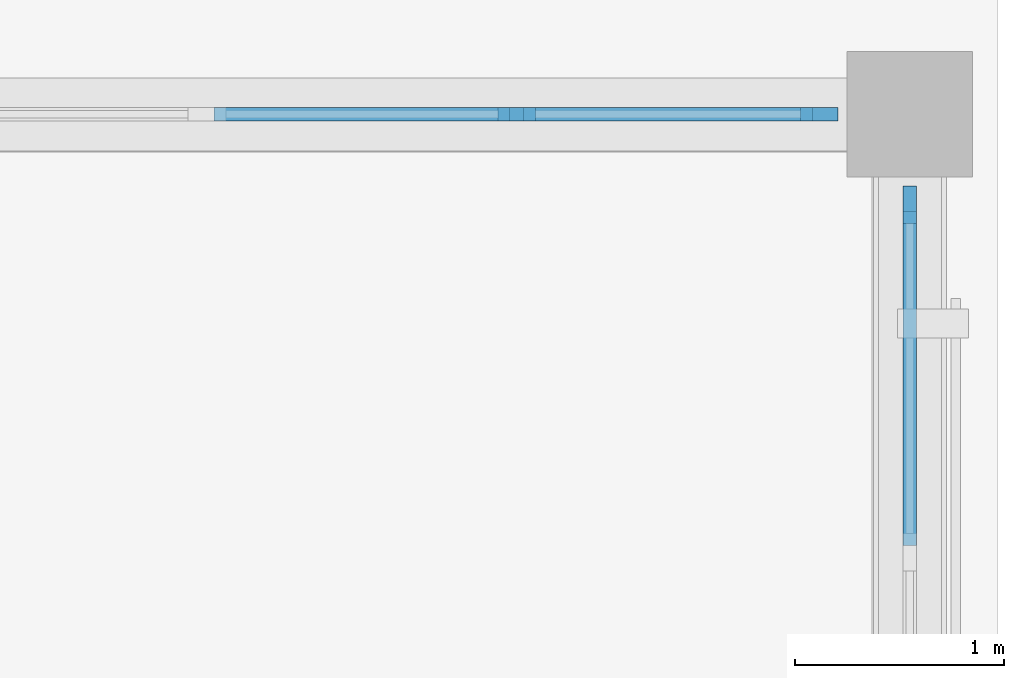
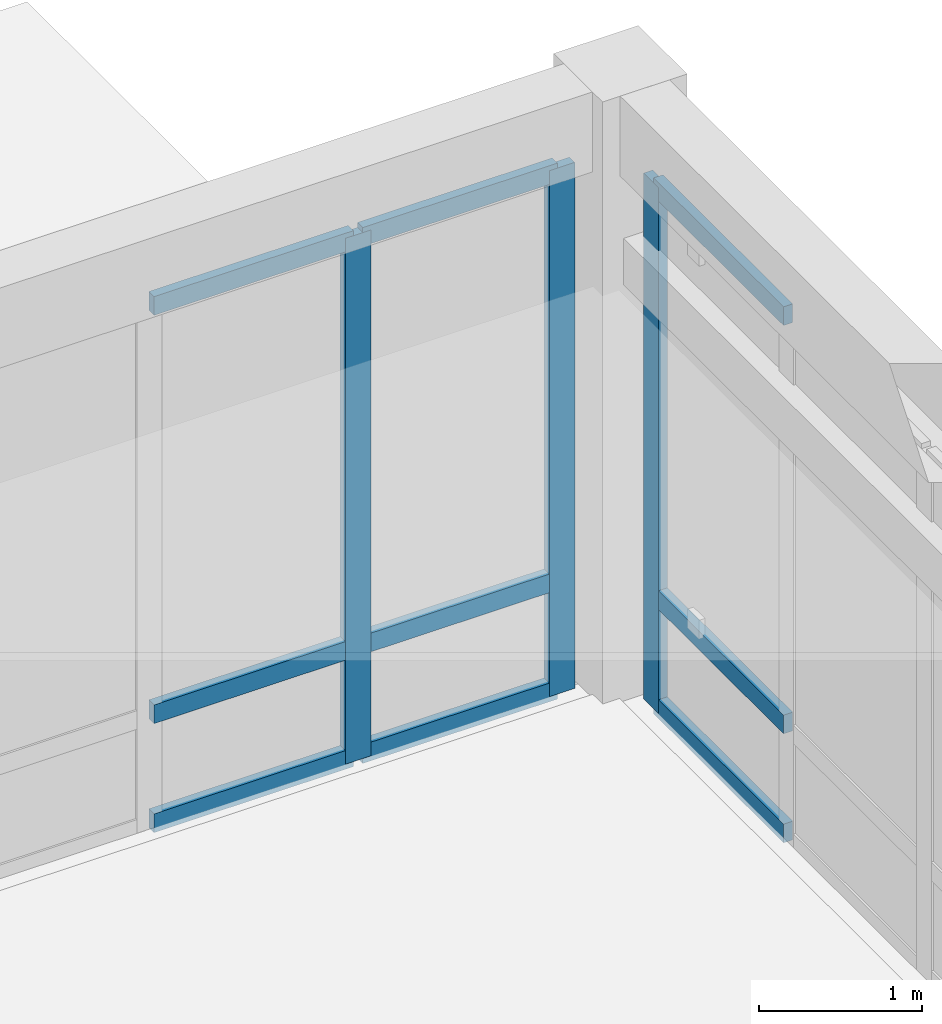
# One storey, part 26 of 49: 12 members, 2 elements without a shape of their own.
"""IFC4 building model written with IfcOpenShell, lengths in metres."""

from ifc_helpers import new_model, si_unit, direction, frame, origin, origin_2d, place, context, subcontext, project, spatial, rectangle, extrude, material, material_profile, profile_set, type_object, element, aggregate, save


model = new_model("IFC4")

# Units and contexts
model_context = context("Model", 3, precision=1e-05, world=origin(), true_north=direction((0.0, 1.0)))
body_context = subcontext(model_context, "Body", "Model", "MODEL_VIEW")
ifc_project = project(units=[si_unit("LENGTHUNIT", "METRE"), si_unit("AREAUNIT", "SQUARE_METRE"), si_unit("VOLUMEUNIT", "CUBIC_METRE"), si_unit("PLANEANGLEUNIT", "RADIAN"), si_unit("MASSUNIT", "GRAM", prefix="KILO")], contexts=[model_context])

# Site, building, storey
site_placement = place(None, origin())
site = spatial("IfcSite", under=ifc_project, at=site_placement, CompositionType="ELEMENT")
building_placement = place(site_placement, origin())
building = spatial("IfcBuilding", under=site, at=building_placement, Name="Qandaris Square Conservatory and Botanical Centre", CompositionType="ELEMENT")
storey_placement = place(building_placement, frame((0.0, 0.0, 10.199951171875)))
storey = spatial("IfcBuildingStorey", under=building, at=storey_placement, Name="L02", CompositionType="ELEMENT", Elevation=10.199951171875)

# Curtain wall, member
ifc_material = material(Name="Anodised Aluminium", Category="aluminium")
curtain_wall_type_1 = type_object("IfcCurtainWallType", Name="Unitised Curtain Wall CW-4-677x394", PredefinedType="USERDEFINED", material=ifc_material)
curtain_wall_1_placement = place(storey_placement, origin())
curtain_wall_1 = element("IfcCurtainWall", 1, at=curtain_wall_1_placement, inside=storey, type_object=curtain_wall_type_1, Name="Curtain Wall CW-TWR-L02-2-11", ObjectType="GLAZED CURTAIN WALL", PredefinedType="USERDEFINED")
ifc_material_profile_1 = material_profile(ifc_material, rectangle(XDim=0.06494140625, YDim=0.179931640625, at=origin_2d()), Name="ALU-MUL 65x180")
ifc_profile_set_1 = profile_set([ifc_material_profile_1], Name="Anodised Aluminium")
member_type_1 = type_object("IfcMemberType", Name="Curtain Wall Mullion 65x180", PredefinedType="MULLION", material=ifc_profile_set_1)
member_1_placement = place(storey_placement, frame((163.800048828125, 99.767578125, 0.0), z_axis=(0.0, 0.0, 1.0), x_axis=(-1.0, 0.0, 0.0)))
member_1 = element("IfcMember", 2, at=member_1_placement, type_object=member_type_1, Name="CW-4-677x394 mullion 5", PredefinedType="MULLION", context=body_context, shape_type="SweptSolid", body=[
    extrude(rectangle(XDim=0.06494140625, YDim=0.179931640625, at=origin_2d()), origin(), (0.0, 0.0, 1.0), 3.945068359375),
])

# Curtain wall, members
curtain_wall_type_2 = type_object("IfcCurtainWallType", Name="Unitised Curtain Wall CW-3-740x394", PredefinedType="USERDEFINED", material=ifc_material)
curtain_wall_2_placement = place(storey_placement, origin())
curtain_wall_2 = element("IfcCurtainWall", 3, at=curtain_wall_2_placement, inside=storey, type_object=curtain_wall_type_2, Name="Curtain Wall CW-TWR-L02-3-1", ObjectType="GLAZED CURTAIN WALL", PredefinedType="USERDEFINED")
member_2_placement = place(storey_placement, frame((163.367431640625, 100.199951171875, 0.0), z_axis=(0.0, 0.0, 1.0), x_axis=(0.0, -1.0, 0.0)))
member_2 = element("IfcMember", 4, at=member_2_placement, type_object=member_type_1, Name="CW-3-740x394 mullion 1", PredefinedType="MULLION", context=body_context, shape_type="SweptSolid", body=[
    extrude(rectangle(XDim=0.06494140625, YDim=0.179931640625, at=origin_2d()), origin(), (0.0, 0.0, 1.0), 3.945068359375),
])
member_3_placement = place(storey_placement, frame((161.919921875, 100.199951171875, 0.0), z_axis=(0.0, 0.0, 1.0), x_axis=(0.0, -1.0, 0.0)))
member_3 = element("IfcMember", 5, at=member_3_placement, type_object=member_type_1, Name="CW-3-740x394 mullion 2", PredefinedType="MULLION", context=body_context, shape_type="SweptSolid", body=[
    extrude(rectangle(XDim=0.06494140625, YDim=0.179931640625, at=origin_2d()), origin(), (0.0, 0.0, 1.0), 3.945068359375),
])

# Member
ifc_material_profile_2 = material_profile(ifc_material, rectangle(XDim=0.06494140625, YDim=0.139892578125, at=origin_2d()), Name="ALU-TRN 65x140")
ifc_profile_set_2 = profile_set([ifc_material_profile_2], Name="Anodised Aluminium")
member_type_2 = type_object("IfcMemberType", Name="Curtain Wall Transom 65x140", PredefinedType="USERDEFINED", material=ifc_profile_set_2)
member_4_placement = place(storey_placement, frame((163.800048828125, 98.138671875, 0.032470703125), z_axis=(0.0, 1.0, 0.0), x_axis=(-1.0, 0.0, 0.0)))
member_4 = element("IfcMember", 6, at=member_4_placement, type_object=member_type_2, Name="CW-4-677x394 transom 4.1", ObjectType="TRANSOM", PredefinedType="USERDEFINED", context=body_context, shape_type="SweptSolid", body=[
    extrude(rectangle(XDim=0.06494140625, YDim=0.139892578125, at=origin_2d()), origin(), (0.0, 0.0, 1.0), 1.596435546875),
])

member_5_placement = place(storey_placement, frame((163.800048828125, 98.138671875, 0.85009765625), z_axis=(0.0, 1.0, 0.0), x_axis=(-1.0, 0.0, 0.0)))
member_5 = element("IfcMember", 7, at=member_5_placement, type_object=member_type_2, Name="CW-4-677x394 transom 4.2", ObjectType="TRANSOM", PredefinedType="USERDEFINED", context=body_context, shape_type="SweptSolid", body=[
    extrude(rectangle(XDim=0.06494140625, YDim=0.139892578125, at=origin_2d()), origin(), (0.0, 0.0, 1.0), 1.596435546875),
])

member_6_placement = place(storey_placement, frame((163.800048828125, 98.138671875, 3.91259765625), z_axis=(0.0, 1.0, 0.0), x_axis=(-1.0, 0.0, 0.0)))
member_6 = element("IfcMember", 8, at=member_6_placement, type_object=member_type_2, Name="CW-4-677x394 transom 4.3", ObjectType="TRANSOM", PredefinedType="USERDEFINED", context=body_context, shape_type="SweptSolid", body=[
    extrude(rectangle(XDim=0.06494140625, YDim=0.139892578125, at=origin_2d()), origin(), (0.0, 0.0, 1.0), 1.596435546875),
])

aggregate(curtain_wall_1, [member_1, member_4, member_5, member_6])

member_7_placement = place(storey_placement, frame((163.3349609375, 100.199951171875, 0.032470703125), z_axis=(-1.0, 0.0, 0.0), x_axis=(0.0, -1.0, 0.0)))
member_7 = element("IfcMember", 9, at=member_7_placement, type_object=member_type_2, Name="CW-3-740x394 transom 1.1", ObjectType="TRANSOM", PredefinedType="USERDEFINED", context=body_context, shape_type="SweptSolid", body=[
    extrude(rectangle(XDim=0.06494140625, YDim=0.139892578125, at=origin_2d()), origin(), (0.0, 0.0, 1.0), 1.382568359375),
])

member_8_placement = place(storey_placement, frame((163.3349609375, 100.199951171875, 0.85009765625), z_axis=(-1.0, 0.0, 0.0), x_axis=(0.0, -1.0, 0.0)))
member_8 = element("IfcMember", 10, at=member_8_placement, type_object=member_type_2, Name="CW-3-740x394 transom 1.2", ObjectType="TRANSOM", PredefinedType="USERDEFINED", context=body_context, shape_type="SweptSolid", body=[
    extrude(rectangle(XDim=0.06494140625, YDim=0.139892578125, at=origin_2d()), origin(), (0.0, 0.0, 1.0), 1.382568359375),
])

member_9_placement = place(storey_placement, frame((163.3349609375, 100.199951171875, 3.91259765625), z_axis=(-1.0, 0.0, 0.0), x_axis=(0.0, -1.0, 0.0)))
member_9 = element("IfcMember", 11, at=member_9_placement, type_object=member_type_2, Name="CW-3-740x394 transom 1.3", ObjectType="TRANSOM", PredefinedType="USERDEFINED", context=body_context, shape_type="SweptSolid", body=[
    extrude(rectangle(XDim=0.06494140625, YDim=0.139892578125, at=origin_2d()), origin(), (0.0, 0.0, 1.0), 1.382568359375),
])

member_10_placement = place(storey_placement, frame((161.887451171875, 100.199951171875, 0.032470703125), z_axis=(-1.0, 0.0, 0.0), x_axis=(0.0, -1.0, 0.0)))
member_10 = element("IfcMember", 12, at=member_10_placement, type_object=member_type_2, Name="CW-3-740x394 transom 2.1", ObjectType="TRANSOM", PredefinedType="USERDEFINED", context=body_context, shape_type="SweptSolid", body=[
    extrude(rectangle(XDim=0.06494140625, YDim=0.139892578125, at=origin_2d()), origin(), (0.0, 0.0, 1.0), 1.4150390625),
])

member_11_placement = place(storey_placement, frame((161.887451171875, 100.199951171875, 0.85009765625), z_axis=(-1.0, 0.0, 0.0), x_axis=(0.0, -1.0, 0.0)))
member_11 = element("IfcMember", 13, at=member_11_placement, type_object=member_type_2, Name="CW-3-740x394 transom 2.2", ObjectType="TRANSOM", PredefinedType="USERDEFINED", context=body_context, shape_type="SweptSolid", body=[
    extrude(rectangle(XDim=0.06494140625, YDim=0.139892578125, at=origin_2d()), origin(), (0.0, 0.0, 1.0), 1.4150390625),
])

member_12_placement = place(storey_placement, frame((161.887451171875, 100.199951171875, 3.91259765625), z_axis=(-1.0, 0.0, 0.0), x_axis=(0.0, -1.0, 0.0)))
member_12 = element("IfcMember", 14, at=member_12_placement, type_object=member_type_2, Name="CW-3-740x394 transom 2.3", ObjectType="TRANSOM", PredefinedType="USERDEFINED", context=body_context, shape_type="SweptSolid", body=[
    extrude(rectangle(XDim=0.06494140625, YDim=0.139892578125, at=origin_2d()), origin(), (0.0, 0.0, 1.0), 1.4150390625),
])

aggregate(curtain_wall_2, [member_2, member_3, member_7, member_8, member_9, member_10, member_11, member_12])

save(model, "model.ifc")
